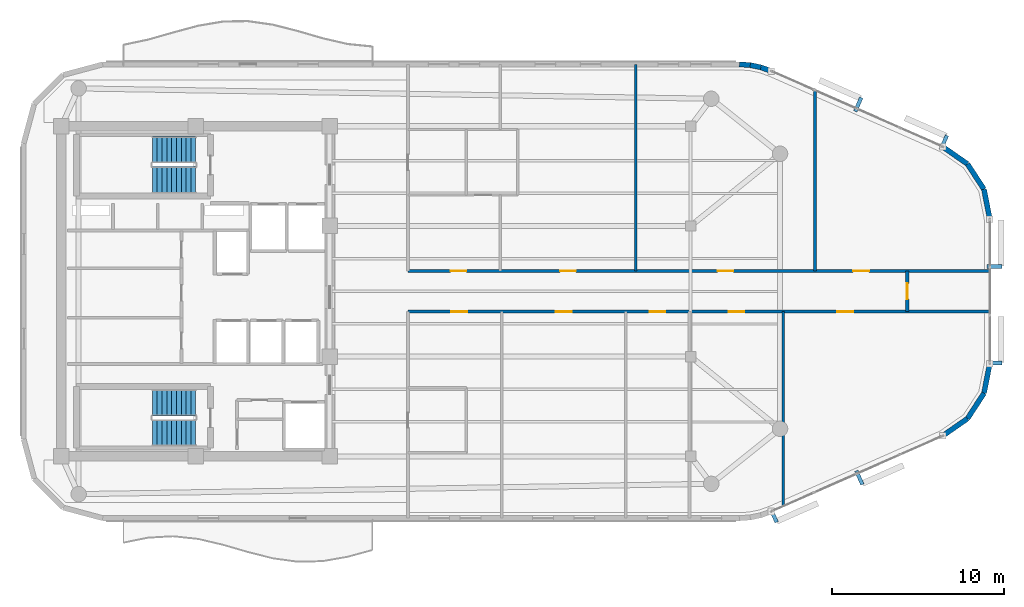
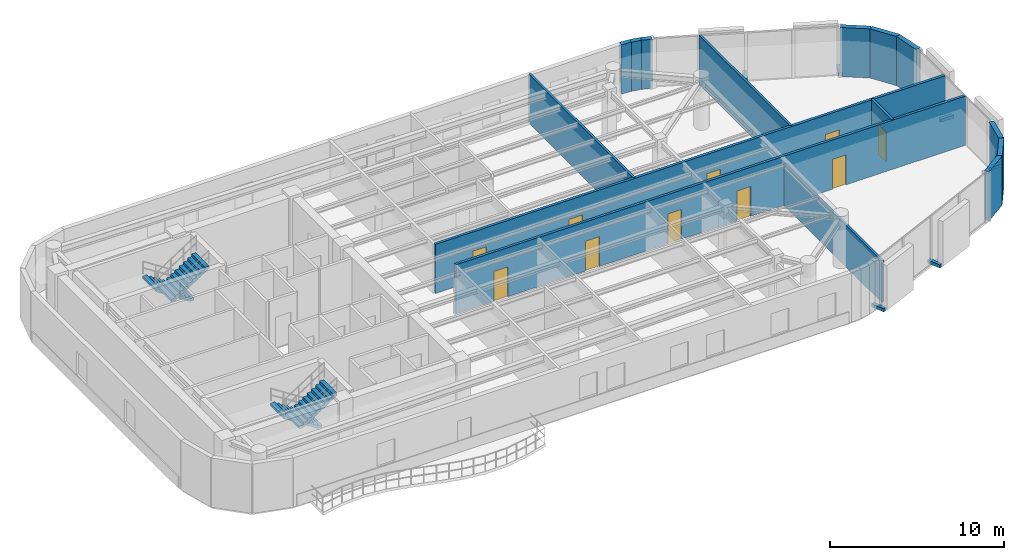
# One storey, part 10 of 14: 15 walls, 10 doors, 6 discrete accessories, 4 stair flights, 10 openings, 2 elements without a shape of their own.
"""IFC4 building model written with IfcOpenShell, lengths in metres."""

from ifc_helpers import new_model, si_unit, direction, frame, frame_2d, origin, origin_2d, place, context, subcontext, project, spatial, polyline, rectangle, outline, extrude, material, layer, layer_set, type_object, element, fill, aggregate, save


model = new_model("IFC4")

# Units and contexts
model_context = context("Model", 3, precision=1e-05, world=origin(), true_north=direction((0.0, 1.0)))
body_context = subcontext(model_context, "Body", "Model", "MODEL_VIEW")
ifc_project = project(units=[si_unit("LENGTHUNIT", "METRE"), si_unit("AREAUNIT", "SQUARE_METRE"), si_unit("VOLUMEUNIT", "CUBIC_METRE"), si_unit("PLANEANGLEUNIT", "RADIAN"), si_unit("MASSUNIT", "GRAM", prefix="KILO")], contexts=[model_context])

# Site, building, storey
site_placement = place(None, origin())
site = spatial("IfcSite", under=ifc_project, at=site_placement, CompositionType="ELEMENT")
building_placement = place(site_placement, origin())
building = spatial("IfcBuilding", under=site, at=building_placement, Name="An Khanh Terracotta Commons", CompositionType="ELEMENT")
storey_placement = place(building_placement, frame((0.0, 0.0, 284.35009765625)))
storey = spatial("IfcBuildingStorey", under=building, at=storey_placement, Name="L74", CompositionType="ELEMENT", Elevation=284.35009765625)

# Wall, openings, doors
ifc_material_1 = material(Name="Fire-Rated Gypsum Board on Steel Stud", Category="steel")
ifc_layer_1 = layer(ifc_material_1, 0.179931640625, Name="Fire-Rated Gypsum Board on Steel Stud")
ifc_layer_set_1 = layer_set([ifc_layer_1], Name="Fire-Rated Gypsum Board on Steel Stud")
wall_type_1 = type_object("IfcWallType", Name="WALL-CORR-180", PredefinedType="PARTITIONING", material=ifc_layer_set_1)
wall_1_placement = place(storey_placement, frame((41.75, 22.820068359375, 0.0), z_axis=(0.0, 0.0, 1.0), x_axis=(1.0, 0.0, 0.0)))
wall_1 = element("IfcWall", 1, at=wall_1_placement, inside=storey, type_object=wall_type_1, Name="L74 Interior Partition IW-L74-E003", PredefinedType="PARTITIONING", context=body_context, shape_type="SweptSolid", body=[
    extrude(rectangle(XDim=33.85009765625, YDim=0.179931640625, at=frame_2d((16.925048828125, 0.0))), origin(), (0.0, 0.0, 1.0), 3.449951171875),
])
opening_1_placement = place(wall_1_placement, frame((2.530029296875, 0.0, 0.0)))
opening_1 = element("IfcOpeningElement", 2, at=opening_1_placement, cuts=wall_1, Name="Opening D-RM", PredefinedType="OPENING", context=body_context, shape_type="SweptSolid", body=[
    extrude(rectangle(XDim=0.919921875, YDim=2.10009765625, at=frame_2d((0.4599609375, 1.050048828125))), frame((0.0, 0.099853515625, 0.0), z_axis=(0.0, -1.0, 0.0), x_axis=(1.0, 0.0, 0.0)), (0.0, 0.0, 1.0), 0.199951171875),
])
opening_2_placement = place(wall_1_placement, frame((8.60400390625, 0.0, 0.0)))
opening_2 = element("IfcOpeningElement", 3, at=opening_2_placement, cuts=wall_1, Name="Opening D-RM", PredefinedType="OPENING", context=body_context, shape_type="SweptSolid", body=[
    extrude(rectangle(XDim=0.919921875, YDim=2.10009765625, at=frame_2d((0.4599609375, 1.050048828125))), frame((0.0, 0.099853515625, 0.0), z_axis=(0.0, -1.0, 0.0), x_axis=(1.0, 0.0, 0.0)), (0.0, 0.0, 1.0), 0.199951171875),
])
opening_3_placement = place(wall_1_placement, frame((14.06494140625, 0.0, 0.0)))
opening_3 = element("IfcOpeningElement", 4, at=opening_3_placement, cuts=wall_1, Name="Opening D-RM", PredefinedType="OPENING", context=body_context, shape_type="SweptSolid", body=[
    extrude(rectangle(XDim=0.919921875, YDim=2.10009765625, at=frame_2d((0.4599609375, 1.050048828125))), frame((0.0, 0.099853515625, 0.0), z_axis=(0.0, -1.0, 0.0), x_axis=(1.0, 0.0, 0.0)), (0.0, 0.0, 1.0), 0.199951171875),
])
opening_4_placement = place(wall_1_placement, frame((18.652099609375, 0.0, 0.0)))
opening_4 = element("IfcOpeningElement", 5, at=opening_4_placement, cuts=wall_1, Name="Opening D-RM", PredefinedType="OPENING", context=body_context, shape_type="SweptSolid", body=[
    extrude(rectangle(XDim=0.919921875, YDim=2.10009765625, at=frame_2d((0.4599609375, 1.050048828125))), frame((0.0, 0.099853515625, 0.0), z_axis=(0.0, -1.0, 0.0), x_axis=(1.0, 0.0, 0.0)), (0.0, 0.0, 1.0), 0.199951171875),
])
opening_5_placement = place(wall_1_placement, frame((24.986083984375, 0.0, 0.0)))
opening_5 = element("IfcOpeningElement", 6, at=opening_5_placement, cuts=wall_1, Name="Opening D-RM", PredefinedType="OPENING", context=body_context, shape_type="SweptSolid", body=[
    extrude(rectangle(XDim=0.919921875, YDim=2.10009765625, at=frame_2d((0.4599609375, 1.050048828125))), frame((0.0, 0.099853515625, 0.0), z_axis=(0.0, -1.0, 0.0), x_axis=(1.0, 0.0, 0.0)), (0.0, 0.0, 1.0), 0.199951171875),
])
ifc_material_2 = material(Name="Engineered Hardwood Timber Leaf", Category="wood")
door_type = type_object("IfcDoorType", Name="DOOR-INT-920", OperationType="NOTDEFINED", PredefinedType="DOOR", material=ifc_material_2)
door_1_placement = place(opening_1_placement, origin())
door_1 = element("IfcDoor", 7, at=door_1_placement, inside=storey, type_object=door_type, Name="L74 SB1 Collaborative Study Lounge Door", OperationType="SINGLE_SWING_LEFT", OverallHeight=2.10009765625, OverallWidth=0.919921875, PredefinedType="DOOR", context=body_context, shape_type="SweptSolid", body=[
    extrude(rectangle(XDim=0.919921875, YDim=2.10009765625, at=frame_2d((0.4599609375, 1.050048828125))), frame((0.0, 0.02490234375, 0.0), z_axis=(0.0, -1.0, 0.0), x_axis=(1.0, 0.0, 0.0)), (0.0, 0.0, 1.0), 0.050048828125),
])
fill(opening_1, door_1)
door_2_placement = place(opening_2_placement, origin())
door_2 = element("IfcDoor", 8, at=door_2_placement, inside=storey, type_object=door_type, Name="L74 SB2 Collaborative Study Lounge Door", OperationType="SINGLE_SWING_RIGHT", OverallHeight=2.10009765625, OverallWidth=0.919921875, PredefinedType="DOOR", context=body_context, shape_type="SweptSolid", body=[
    extrude(rectangle(XDim=0.919921875, YDim=2.10009765625, at=frame_2d((0.4599609375, 1.050048828125))), frame((0.0, 0.02490234375, 0.0), z_axis=(0.0, -1.0, 0.0), x_axis=(1.0, 0.0, 0.0)), (0.0, 0.0, 1.0), 0.050048828125),
])
fill(opening_2, door_2)
door_3_placement = place(opening_3_placement, origin())
door_3 = element("IfcDoor", 9, at=door_3_placement, inside=storey, type_object=door_type, Name="L74 SB3 Collaborative Study Lounge Door", OperationType="SINGLE_SWING_LEFT", OverallHeight=2.10009765625, OverallWidth=0.919921875, PredefinedType="DOOR", context=body_context, shape_type="SweptSolid", body=[
    extrude(rectangle(XDim=0.919921875, YDim=2.10009765625, at=frame_2d((0.4599609375, 1.050048828125))), frame((0.0, 0.02490234375, 0.0), z_axis=(0.0, -1.0, 0.0), x_axis=(1.0, 0.0, 0.0)), (0.0, 0.0, 1.0), 0.050048828125),
])
fill(opening_3, door_3)
door_4_placement = place(opening_4_placement, origin())
door_4 = element("IfcDoor", 10, at=door_4_placement, inside=storey, type_object=door_type, Name="L74 SB4 Collaborative Study Lounge Door", OperationType="SINGLE_SWING_RIGHT", OverallHeight=2.10009765625, OverallWidth=0.919921875, PredefinedType="DOOR", context=body_context, shape_type="SweptSolid", body=[
    extrude(rectangle(XDim=0.919921875, YDim=2.10009765625, at=frame_2d((0.4599609375, 1.050048828125))), frame((0.0, 0.02490234375, 0.0), z_axis=(0.0, -1.0, 0.0), x_axis=(1.0, 0.0, 0.0)), (0.0, 0.0, 1.0), 0.050048828125),
])
fill(opening_4, door_4)
door_5_placement = place(opening_5_placement, origin())
door_5 = element("IfcDoor", 11, at=door_5_placement, inside=storey, type_object=door_type, Name="L74 SB5 Riverfront Reading Hall Door", OperationType="SINGLE_SWING_LEFT", OverallHeight=2.10009765625, OverallWidth=0.919921875, PredefinedType="DOOR", context=body_context, shape_type="SweptSolid", body=[
    extrude(rectangle(XDim=0.919921875, YDim=2.10009765625, at=frame_2d((0.4599609375, 1.050048828125))), frame((0.0, 0.02490234375, 0.0), z_axis=(0.0, -1.0, 0.0), x_axis=(1.0, 0.0, 0.0)), (0.0, 0.0, 1.0), 0.050048828125),
])
fill(opening_5, door_5)

wall_2_placement = place(storey_placement, frame((41.75, 25.179931640625, 0.0), z_axis=(0.0, 0.0, 1.0), x_axis=(1.0, 0.0, 0.0)))
wall_2 = element("IfcWall", 12, at=wall_2_placement, inside=storey, type_object=wall_type_1, Name="L74 Interior Partition IW-L74-E004", PredefinedType="PARTITIONING", context=body_context, shape_type="SweptSolid", body=[
    extrude(rectangle(XDim=33.85009765625, YDim=0.179931640625, at=frame_2d((16.925048828125, 0.0))), origin(), (0.0, 0.0, 1.0), 3.449951171875),
])
opening_6_placement = place(wall_2_placement, frame((2.48388671875, 0.0, 0.0)))
opening_6 = element("IfcOpeningElement", 13, at=opening_6_placement, cuts=wall_2, Name="Opening D-RM", PredefinedType="OPENING", context=body_context, shape_type="SweptSolid", body=[
    extrude(rectangle(XDim=0.919921875, YDim=2.10009765625, at=frame_2d((0.4599609375, 1.050048828125))), frame((0.0, 0.099853515625, 0.0), z_axis=(0.0, -1.0, 0.0), x_axis=(1.0, 0.0, 0.0)), (0.0, 0.0, 1.0), 0.199951171875),
])
opening_7_placement = place(wall_2_placement, frame((8.85498046875, 0.0, 0.0)))
opening_7 = element("IfcOpeningElement", 14, at=opening_7_placement, cuts=wall_2, Name="Opening D-RM", PredefinedType="OPENING", context=body_context, shape_type="SweptSolid", body=[
    extrude(rectangle(XDim=0.919921875, YDim=2.10009765625, at=frame_2d((0.4599609375, 1.050048828125))), frame((0.0, 0.099853515625, 0.0), z_axis=(0.0, -1.0, 0.0), x_axis=(1.0, 0.0, 0.0)), (0.0, 0.0, 1.0), 0.199951171875),
])
opening_8_placement = place(wall_2_placement, frame((18.011962890625, 0.0, 0.0)))
opening_8 = element("IfcOpeningElement", 15, at=opening_8_placement, cuts=wall_2, Name="Opening D-RM", PredefinedType="OPENING", context=body_context, shape_type="SweptSolid", body=[
    extrude(rectangle(XDim=0.919921875, YDim=2.10009765625, at=frame_2d((0.4599609375, 1.050048828125))), frame((0.0, 0.099853515625, 0.0), z_axis=(0.0, -1.0, 0.0), x_axis=(1.0, 0.0, 0.0)), (0.0, 0.0, 1.0), 0.199951171875),
])
opening_9_placement = place(wall_2_placement, frame((25.906005859375, 0.0, 0.0)))
opening_9 = element("IfcOpeningElement", 16, at=opening_9_placement, cuts=wall_2, Name="Opening D-RM", PredefinedType="OPENING", context=body_context, shape_type="SweptSolid", body=[
    extrude(rectangle(XDim=0.919921875, YDim=2.10009765625, at=frame_2d((0.4599609375, 1.050048828125))), frame((0.0, 0.099853515625, 0.0), z_axis=(0.0, -1.0, 0.0), x_axis=(1.0, 0.0, 0.0)), (0.0, 0.0, 1.0), 0.199951171875),
])
door_6_placement = place(opening_6_placement, origin())
door_6 = element("IfcDoor", 17, at=door_6_placement, inside=storey, type_object=door_type, Name="L74 NB1 Observatory Study Hall Door", OperationType="SINGLE_SWING_LEFT", OverallHeight=2.10009765625, OverallWidth=0.919921875, PredefinedType="DOOR", context=body_context, shape_type="SweptSolid", body=[
    extrude(rectangle(XDim=0.919921875, YDim=2.10009765625, at=frame_2d((0.4599609375, 1.050048828125))), frame((0.0, 0.02490234375, 0.0), z_axis=(0.0, -1.0, 0.0), x_axis=(1.0, 0.0, 0.0)), (0.0, 0.0, 1.0), 0.050048828125),
])
fill(opening_6, door_6)
door_7_placement = place(opening_7_placement, origin())
door_7 = element("IfcDoor", 18, at=door_7_placement, inside=storey, type_object=door_type, Name="L74 NB2 Riverfront Reading Hall Door", OperationType="SINGLE_SWING_RIGHT", OverallHeight=2.10009765625, OverallWidth=0.919921875, PredefinedType="DOOR", context=body_context, shape_type="SweptSolid", body=[
    extrude(rectangle(XDim=0.919921875, YDim=2.10009765625, at=frame_2d((0.4599609375, 1.050048828125))), frame((0.0, 0.02490234375, 0.0), z_axis=(0.0, -1.0, 0.0), x_axis=(1.0, 0.0, 0.0)), (0.0, 0.0, 1.0), 0.050048828125),
])
fill(opening_7, door_7)
door_8_placement = place(opening_8_placement, origin())
door_8 = element("IfcDoor", 19, at=door_8_placement, inside=storey, type_object=door_type, Name="L74 NB3 Observatory Study Hall Door", OperationType="SINGLE_SWING_LEFT", OverallHeight=2.10009765625, OverallWidth=0.919921875, PredefinedType="DOOR", context=body_context, shape_type="SweptSolid", body=[
    extrude(rectangle(XDim=0.919921875, YDim=2.10009765625, at=frame_2d((0.4599609375, 1.050048828125))), frame((0.0, 0.02490234375, 0.0), z_axis=(0.0, -1.0, 0.0), x_axis=(1.0, 0.0, 0.0)), (0.0, 0.0, 1.0), 0.050048828125),
])
fill(opening_8, door_8)
door_9_placement = place(opening_9_placement, origin())
door_9 = element("IfcDoor", 20, at=door_9_placement, inside=storey, type_object=door_type, Name="L74 NB4 Music Lounge Door", OperationType="SINGLE_SWING_RIGHT", OverallHeight=2.10009765625, OverallWidth=0.919921875, PredefinedType="DOOR", context=body_context, shape_type="SweptSolid", body=[
    extrude(rectangle(XDim=0.919921875, YDim=2.10009765625, at=frame_2d((0.4599609375, 1.050048828125))), frame((0.0, 0.02490234375, 0.0), z_axis=(0.0, -1.0, 0.0), x_axis=(1.0, 0.0, 0.0)), (0.0, 0.0, 1.0), 0.050048828125),
])
fill(opening_9, door_9)

# Wall, opening, door
wall_3_placement = place(storey_placement, frame((70.800048828125, 22.820068359375, 0.0), z_axis=(0.0, 0.0, 1.0), x_axis=(0.0, 1.0, 0.0)))
wall_3 = element("IfcWall", 21, at=wall_3_placement, inside=storey, type_object=wall_type_1, Name="L74 Interior Partition IW-L74-E020", PredefinedType="PARTITIONING", context=body_context, shape_type="SweptSolid", body=[
    extrude(rectangle(XDim=2.35986328125, YDim=0.179931640625, at=frame_2d((1.179931640625, 0.0))), origin(), (0.0, 0.0, 1.0), 3.449951171875),
])
opening_10_placement = place(wall_3_placement, frame((0.719970703125, 0.0, 0.0)))
opening_10 = element("IfcOpeningElement", 22, at=opening_10_placement, cuts=wall_3, Name="Opening D-RM", PredefinedType="OPENING", context=body_context, shape_type="SweptSolid", body=[
    extrude(rectangle(XDim=0.919921875, YDim=2.10009765625, at=frame_2d((0.4599609375, 1.050048828125))), frame((0.0, 0.099853515625, 0.0), z_axis=(0.0, -1.0, 0.0), x_axis=(1.0, 0.0, 0.0)), (0.0, 0.0, 1.0), 0.199951171875),
])
door_10_placement = place(opening_10_placement, origin())
door_10 = element("IfcDoor", 23, at=door_10_placement, inside=storey, type_object=door_type, Name="L74 GHE Riverfront Study Office Door", OperationType="SINGLE_SWING_RIGHT", OverallHeight=2.10009765625, OverallWidth=0.919921875, PredefinedType="DOOR", context=body_context, shape_type="SweptSolid", body=[
    extrude(rectangle(XDim=0.919921875, YDim=2.10009765625, at=frame_2d((0.4599609375, 1.050048828125))), frame((0.0, 0.02490234375, 0.0), z_axis=(0.0, -1.0, 0.0), x_axis=(1.0, 0.0, 0.0)), (0.0, 0.0, 1.0), 0.050048828125),
])
fill(opening_10, door_10)

# Walls
ifc_material_3 = material(Name="Precast concrete C40/50", Category="concrete")
ifc_layer_2 = layer(ifc_material_3, 0.300048828125, Name="Precast concrete C40/50")
ifc_layer_set_2 = layer_set([ifc_layer_2], Name="Precast concrete C40/50")
wall_type_2 = type_object("IfcWallType", Name="WALL-EXT-300", PredefinedType="SOLIDWALL", material=ifc_layer_set_2)
wall_4_placement = place(storey_placement, frame((72.85693359375, 15.590087890625, 0.0), z_axis=(0.0, 0.0, 1.0), x_axis=(0.821006966142, 0.570918174124, 0.0)))
element("IfcWall", 24, at=wall_4_placement, inside=storey, type_object=wall_type_2, Name="L74 Insulated Terracotta Exterior Wall 9", PredefinedType="SOLIDWALL", context=body_context, shape_type="SweptSolid", body=[
    extrude(rectangle(XDim=1.760009765625, YDim=0.300048828125, at=frame_2d((0.8798828125, 0.0))), origin(), (0.0, 0.0, 1.0), 3.449951171875),
])
for number, where, z_axis, x_axis, name in (
    (25, (74.302001953125, 16.594970703125, 0.0), (0.0, 0.0, 1.0), (0.545836224831, 0.837891887813, 0.0), "L74 Insulated Terracotta Exterior Wall 10"),
    (26, (75.262939453125, 18.070068359375, 0.0), (0.0, 0.0, 1.0), (0.1915005851, 0.981492499159, 0.0), "L74 Insulated Terracotta Exterior Wall 11"),
    (27, (75.60009765625, 28.201904296875, 0.0), (0.0, 0.0, 1.0), (-0.1915005851, 0.981492499159, 0.0), "L74 Insulated Terracotta Exterior Wall 13"),
    (28, (75.262939453125, 29.929931640625, 0.0), (0.0, 0.0, 1.0), (-0.545836224831, 0.837891887813, 0.0), "L74 Insulated Terracotta Exterior Wall 14"),
):
    element("IfcWall", number, at=place(storey_placement, frame(where, z_axis=z_axis, x_axis=x_axis)), inside=storey, type_object=wall_type_2, Name=name, PredefinedType="SOLIDWALL", context=body_context, shape_type="SweptSolid", body=[
        extrude(rectangle(XDim=1.760498046875, YDim=0.300048828125, at=frame_2d((0.88037109375, 0.0))), origin(), (0.0, 0.0, 1.0), 3.449951171875),
    ])
wall_5_placement = place(storey_placement, frame((74.302001953125, 31.405029296875, 0.0), z_axis=(0.0, 0.0, 1.0), x_axis=(-0.821006966142, 0.570918174124, 0.0)))
element("IfcWall", 29, at=wall_5_placement, inside=storey, type_object=wall_type_2, Name="L74 Insulated Terracotta Exterior Wall 15", PredefinedType="SOLIDWALL", context=body_context, shape_type="SweptSolid", body=[
    extrude(rectangle(XDim=1.760009765625, YDim=0.300048828125, at=frame_2d((0.8798828125, 0.0))), origin(), (0.0, 0.0, 1.0), 3.449951171875),
])
wall_6_placement = place(storey_placement, frame((62.886962890625, 36.80908203125, 0.0), z_axis=(0.0, 0.0, 1.0), x_axis=(-0.94077491148, 0.339031806665, 0.0)))
element("IfcWall", 30, at=wall_6_placement, inside=storey, type_object=wall_type_2, Name="L74 Insulated Terracotta Exterior Wall 17", PredefinedType="SOLIDWALL", context=body_context, shape_type="SweptSolid", body=[
    extrude(rectangle(XDim=0.636474609375, YDim=0.300048828125, at=frame_2d((0.318359375, 0.0))), origin(), (0.0, 0.0, 1.0), 3.449951171875),
])
wall_7_placement = place(storey_placement, frame((62.2880859375, 37.02490234375, 0.0), z_axis=(0.0, 0.0, 1.0), x_axis=(-0.97857012251, 0.205913854149, 0.0)))
element("IfcWall", 31, at=wall_7_placement, inside=storey, type_object=wall_type_2, Name="L74 Insulated Terracotta Exterior Wall 18", PredefinedType="SOLIDWALL", context=body_context, shape_type="SweptSolid", body=[
    extrude(rectangle(XDim=0.63671875, YDim=0.300048828125, at=frame_2d((0.318359375, 0.0))), origin(), (0.0, 0.0, 1.0), 3.449951171875),
])
wall_8_placement = place(storey_placement, frame((61.6650390625, 37.156005859375, 0.0), z_axis=(0.0, 0.0, 1.0), x_axis=(-0.997613959688, 0.069039028352, 0.0)))
element("IfcWall", 32, at=wall_8_placement, inside=storey, type_object=wall_type_2, Name="L74 Insulated Terracotta Exterior Wall 19", PredefinedType="SOLIDWALL", context=body_context, shape_type="SweptSolid", body=[
    extrude(rectangle(XDim=0.636474609375, YDim=0.300048828125, at=frame_2d((0.318359375, 0.0))), origin(), (0.0, 0.0, 1.0), 3.449951171875),
])
ifc_material_4 = material(Name="Acoustic Gypsum Board Partition")
ifc_layer_3 = layer(ifc_material_4, 0.14990234375, Name="Acoustic Gypsum Board Partition")
ifc_layer_set_3 = layer_set([ifc_layer_3], Name="Acoustic Gypsum Board Partition")
wall_type_3 = type_object("IfcWallType", Name="WALL-PART-150", PredefinedType="PARTITIONING", material=ifc_layer_set_3)
wall_9_placement = place(storey_placement, frame((55.011962890625, 25.179931640625, 0.0), z_axis=(0.0, 0.0, 1.0), x_axis=(0.0, 1.0, 0.0)))
element("IfcWall", 33, at=wall_9_placement, inside=storey, type_object=wall_type_3, Name="L74 Interior Partition IW-L74-E016", PredefinedType="PARTITIONING", context=body_context, shape_type="SweptSolid", body=[
    extrude(rectangle(XDim=12.02001953125, YDim=0.14990234375, at=frame_2d((6.010009765625, 0.0))), origin(), (0.0, 0.0, 1.0), 3.449951171875),
])
wall_10_placement = place(storey_placement, frame((63.592041015625, 11.501953125, 0.0), z_axis=(0.0, 0.0, 1.0), x_axis=(0.0, 1.0, 0.0)))
element("IfcWall", 34, at=wall_10_placement, inside=storey, type_object=wall_type_3, Name="L74 Interior Partition IW-L74-E018", PredefinedType="PARTITIONING", context=body_context, shape_type="SweptSolid", body=[
    extrude(rectangle(XDim=11.318115234375, YDim=0.14990234375, at=frame_2d((5.6591796875, 0.0))), origin(), (0.0, 0.0, 1.0), 2.931884765625),
])
wall_11_placement = place(storey_placement, frame((65.431884765625, 25.179931640625, 0.0), z_axis=(0.0, 0.0, 1.0), x_axis=(0.0, 1.0, 0.0)))
element("IfcWall", 35, at=wall_11_placement, inside=storey, type_object=wall_type_3, Name="L74 Interior Partition IW-L74-E019", PredefinedType="PARTITIONING", context=body_context, shape_type="SweptSolid", body=[
    extrude(rectangle(XDim=10.506103515625, YDim=0.14990234375, at=frame_2d((5.2529296875, 0.0))), origin(), (0.0, 0.0, 1.0), 3.449951171875),
])

# Stair, stair flights
stair_type = type_object("IfcStairType", Name="STAIR-CORE-1550", PredefinedType="HALF_TURN_STAIR", material=ifc_material_3)
stair_1_placement = place(storey_placement, origin())
stair_1 = element("IfcStair", 36, at=stair_1_placement, inside=storey, type_object=stair_type, Name="L74 Core Smokeproof Exit Stair ST-01", PredefinedType="HALF_TURN_STAIR")
stair_flight_type = type_object("IfcStairFlightType", Name="FLIGHT-CORE-1550", PredefinedType="STRAIGHT", material=ifc_material_3)
stair_flight_1_placement = place(storey_placement, frame((29.409912109375, 32.22509765625, 0.0), z_axis=(0.0, 0.0, 1.0), x_axis=(-1.0, 0.0, 0.0)))
stair_flight_1 = element("IfcStairFlight", 37, at=stair_flight_1_placement, type_object=stair_flight_type, Name="ST-01 flight 1", NumberOfRisers=10, NumberOfTreads=9, PredefinedType="STRAIGHT", RiserHeight=0.1825, TreadLength=0.28, context=body_context, shape_type="SweptSolid", body=[
    extrude(outline(polyline([(0.0, 0.0), (0.0, 0.1826171875), (0.280029296875, 0.1826171875), (0.280029296875, 0.364990234375), (0.56005859375, 0.364990234375), (0.56005859375, 0.547607421875), (0.840087890625, 0.547607421875), (0.840087890625, 0.72998046875), (1.1201171875, 0.72998046875), (1.1201171875, 0.91259765625), (1.39990234375, 0.91259765625), (1.39990234375, 1.094970703125), (1.679931640625, 1.094970703125), (1.679931640625, 1.277587890625), (1.9599609375, 1.277587890625), (1.9599609375, 1.4599609375), (2.239990234375, 1.4599609375), (2.239990234375, 1.642578125), (2.52001953125, 1.642578125), (2.52001953125, 1.824951171875), (2.52001953125, 1.463623046875), (0.2744140625, 0.0), (0.0, 0.0)])), frame((0.0, 0.77490234375, 0.0), z_axis=(0.0, -1.0, 0.0), x_axis=(1.0, 0.0, 0.0)), (0.0, 0.0, 1.0), 1.550048828125),
])
stair_flight_2_placement = place(storey_placement, frame((26.889892578125, 30.47509765625, 1.824951171875), z_axis=(0.0, 0.0, 1.0), x_axis=(1.0, 0.0, 0.0)))
stair_flight_2 = element("IfcStairFlight", 38, at=stair_flight_2_placement, type_object=stair_flight_type, Name="ST-01 flight 2", NumberOfRisers=10, NumberOfTreads=9, PredefinedType="STRAIGHT", RiserHeight=0.1825, TreadLength=0.28, context=body_context, shape_type="SweptSolid", body=[
    extrude(outline(polyline([(0.0, 0.0), (0.0, 0.1826171875), (0.280029296875, 0.1826171875), (0.280029296875, 0.364990234375), (0.56005859375, 0.364990234375), (0.56005859375, 0.547607421875), (0.840087890625, 0.547607421875), (0.840087890625, 0.72998046875), (1.1201171875, 0.72998046875), (1.1201171875, 0.91259765625), (1.39990234375, 0.91259765625), (1.39990234375, 1.094970703125), (1.679931640625, 1.094970703125), (1.679931640625, 1.277587890625), (1.9599609375, 1.277587890625), (1.9599609375, 1.4599609375), (2.239990234375, 1.4599609375), (2.239990234375, 1.642578125), (2.52001953125, 1.642578125), (2.52001953125, 1.824951171875), (2.52001953125, 1.463623046875), (0.2744140625, 0.0), (0.0, 0.0)])), frame((0.0, 0.77490234375, 0.0), z_axis=(0.0, -1.0, 0.0), x_axis=(1.0, 0.0, 0.0)), (0.0, 0.0, 1.0), 1.550048828125),
])
aggregate(stair_1, [stair_flight_1, stair_flight_2])

stair_2_placement = place(storey_placement, origin())
stair_2 = element("IfcStair", 39, at=stair_2_placement, inside=storey, type_object=stair_type, Name="L74 Core Smokeproof Exit Stair ST-02", PredefinedType="HALF_TURN_STAIR")
stair_flight_3_placement = place(storey_placement, frame((29.409912109375, 17.52490234375, 0.0), z_axis=(0.0, 0.0, 1.0), x_axis=(-1.0, 0.0, 0.0)))
stair_flight_3 = element("IfcStairFlight", 40, at=stair_flight_3_placement, type_object=stair_flight_type, Name="ST-02 flight 1", NumberOfRisers=10, NumberOfTreads=9, PredefinedType="STRAIGHT", RiserHeight=0.1825, TreadLength=0.28, context=body_context, shape_type="SweptSolid", body=[
    extrude(outline(polyline([(0.0, 0.0), (0.0, 0.1826171875), (0.280029296875, 0.1826171875), (0.280029296875, 0.364990234375), (0.56005859375, 0.364990234375), (0.56005859375, 0.547607421875), (0.840087890625, 0.547607421875), (0.840087890625, 0.72998046875), (1.1201171875, 0.72998046875), (1.1201171875, 0.91259765625), (1.39990234375, 0.91259765625), (1.39990234375, 1.094970703125), (1.679931640625, 1.094970703125), (1.679931640625, 1.277587890625), (1.9599609375, 1.277587890625), (1.9599609375, 1.4599609375), (2.239990234375, 1.4599609375), (2.239990234375, 1.642578125), (2.52001953125, 1.642578125), (2.52001953125, 1.824951171875), (2.52001953125, 1.463623046875), (0.2744140625, 0.0), (0.0, 0.0)])), frame((0.0, 0.77490234375, 0.0), z_axis=(0.0, -1.0, 0.0), x_axis=(1.0, 0.0, 0.0)), (0.0, 0.0, 1.0), 1.550048828125),
])
stair_flight_4_placement = place(storey_placement, frame((26.889892578125, 15.77490234375, 1.824951171875), z_axis=(0.0, 0.0, 1.0), x_axis=(1.0, 0.0, 0.0)))
stair_flight_4 = element("IfcStairFlight", 41, at=stair_flight_4_placement, type_object=stair_flight_type, Name="ST-02 flight 2", NumberOfRisers=10, NumberOfTreads=9, PredefinedType="STRAIGHT", RiserHeight=0.1825, TreadLength=0.28, context=body_context, shape_type="SweptSolid", body=[
    extrude(outline(polyline([(0.0, 0.0), (0.0, 0.1826171875), (0.280029296875, 0.1826171875), (0.280029296875, 0.364990234375), (0.56005859375, 0.364990234375), (0.56005859375, 0.547607421875), (0.840087890625, 0.547607421875), (0.840087890625, 0.72998046875), (1.1201171875, 0.72998046875), (1.1201171875, 0.91259765625), (1.39990234375, 0.91259765625), (1.39990234375, 1.094970703125), (1.679931640625, 1.094970703125), (1.679931640625, 1.277587890625), (1.9599609375, 1.277587890625), (1.9599609375, 1.4599609375), (2.239990234375, 1.4599609375), (2.239990234375, 1.642578125), (2.52001953125, 1.642578125), (2.52001953125, 1.824951171875), (2.52001953125, 1.463623046875), (0.2744140625, 0.0), (0.0, 0.0)])), frame((0.0, 0.77490234375, 0.0), z_axis=(0.0, -1.0, 0.0), x_axis=(1.0, 0.0, 0.0)), (0.0, 0.0, 1.0), 1.550048828125),
])
aggregate(stair_2, [stair_flight_3, stair_flight_4])

# Discrete accessories
ifc_material_5 = material(Name="Stainless Steel Grade 316L", Category="steel")
discrete_accessory_type = type_object("IfcDiscreteAccessoryType", Name="Stainless Outrigger Facade Bracket", PredefinedType="BRACKET", material=ifc_material_5)
for number, where, z_axis, x_axis, name in (
    (42, (63.02587890625, 10.962890625, 0.06982421875), (0.0, 0.0, 1.0), (0.914901853201, 0.403676354285, 0.0), "L74 Terracotta Screen Outrigger Bracket 1"),
    (43, (68.010986328125, 13.162109375, 0.06982421875), (0.0, 0.0, 1.0), (0.914901853201, 0.403676354285, 0.0), "L74 Terracotta Screen Outrigger Bracket 3"),
    (44, (75.864990234375, 19.8330078125, 0.06982421875), (0.0, 0.0, 1.0), (0.0, 1.0, 0.0), "L74 Terracotta Screen Outrigger Bracket 1"),
    (45, (75.864990234375, 25.43603515625, 0.06982421875), (0.0, 0.0, 1.0), (0.0, 1.0, 0.0), "L74 Terracotta Screen Outrigger Bracket 3"),
    (46, (72.931884765625, 32.6669921875, 0.06982421875), (0.0, 0.0, 1.0), (-0.914901853201, 0.403676354285, 0.0), "L74 Terracotta Screen Outrigger Bracket 1"),
    (47, (67.947021484375, 34.865966796875, 0.06982421875), (0.0, 0.0, 1.0), (-0.914901853201, 0.403676354285, 0.0), "L74 Terracotta Screen Outrigger Bracket 3"),
):
    element("IfcDiscreteAccessory", number, at=place(storey_placement, frame(where, z_axis=z_axis, x_axis=x_axis)), inside=storey, type_object=discrete_accessory_type, Name=name, PredefinedType="BRACKET", context=body_context, shape_type="SweptSolid", body=[
        extrude(rectangle(XDim=0.219970703125, YDim=0.8701171875, at=origin_2d()), origin(), (0.0, 0.0, 1.0), 0.219970703125),
    ])

save(model, "model.ifc")
